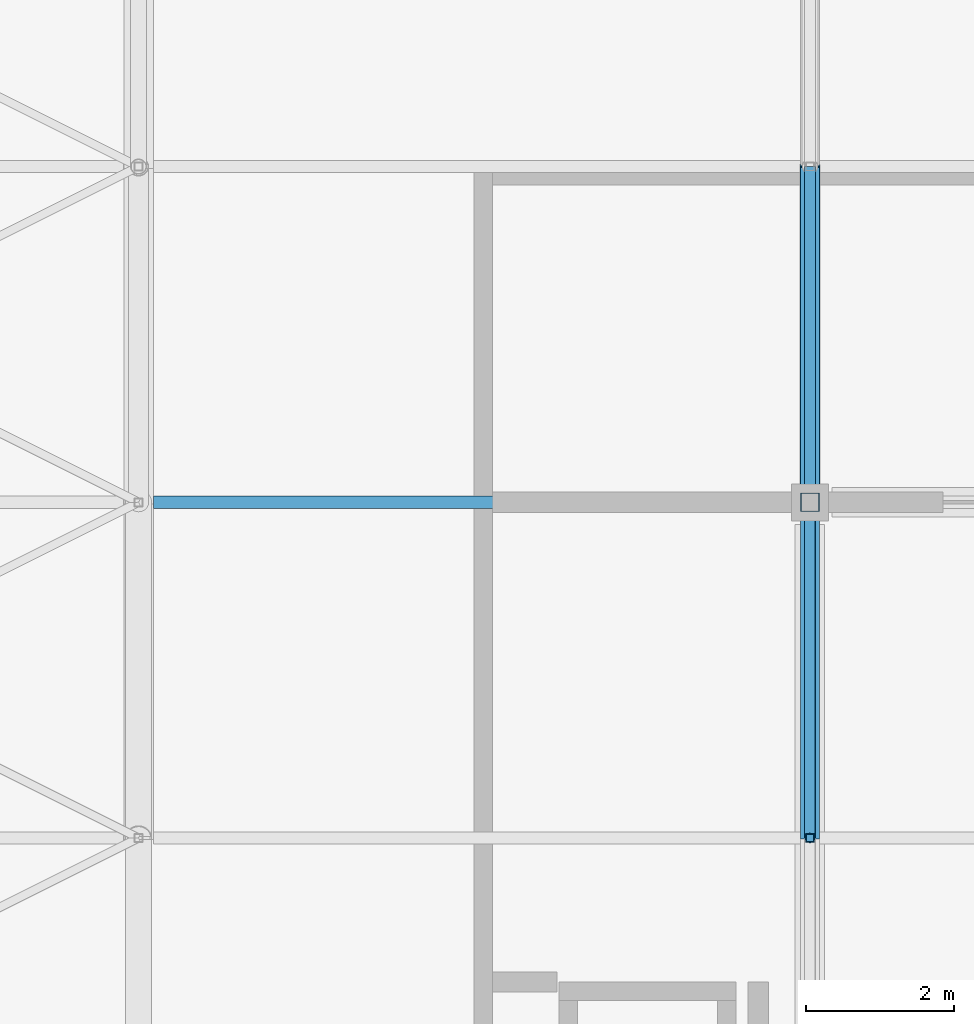
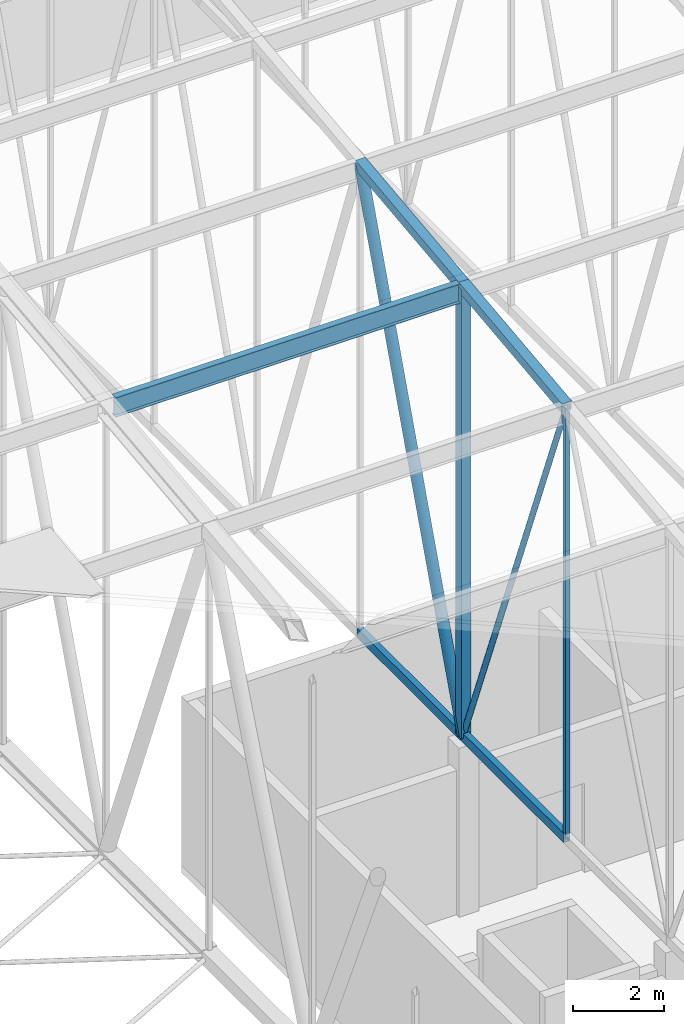
# One storey, part 153 of 500: 9 members.
"""IFC4 building model written with IfcOpenShell, lengths in metres."""

from ifc_helpers import new_model, si_unit, direction, frame, origin, origin_2d, place, context, subcontext, project, spatial, hollow_rectangle, hollow_circle, i_section, extrude, material, material_profile, profile_set, type_object, element, save


model = new_model("IFC4")

# Units and contexts
model_context = context("Model", 3, precision=1e-05, world=origin(), true_north=direction((0.0, 1.0)))
body_context = subcontext(model_context, "Body", "Model", "MODEL_VIEW")
ifc_project = project(units=[si_unit("LENGTHUNIT", "METRE"), si_unit("AREAUNIT", "SQUARE_METRE"), si_unit("VOLUMEUNIT", "CUBIC_METRE"), si_unit("PLANEANGLEUNIT", "RADIAN"), si_unit("MASSUNIT", "GRAM", prefix="KILO")], contexts=[model_context])

# Site, building, storey
site_placement = place(None, origin())
site = spatial("IfcSite", under=ifc_project, at=site_placement, CompositionType="ELEMENT")
building_placement = place(site_placement, origin())
building = spatial("IfcBuilding", under=site, at=building_placement, Name="Shirokan Park Arena", CompositionType="ELEMENT")
storey_placement = place(building_placement, frame((0.0, 0.0, 29.1201171875)))
storey = spatial("IfcBuildingStorey", under=building, at=storey_placement, Name="L06", CompositionType="ELEMENT", Elevation=29.1201171875)

# Members
ifc_material_1 = material(Name="Steel ASTM A500 Grade C", Category="steel")
ifc_material_profile_1 = material_profile(ifc_material_1, hollow_rectangle(XDim=0.152099609375, YDim=0.25390625, WallThickness=0.009521484375, at=origin_2d()), Name="HSS254X152.4X9.5")
ifc_profile_set_1 = profile_set([ifc_material_profile_1], Name="Steel ASTM A500 Grade C")
member_type_1 = type_object("IfcMemberType", Name="Bottom chord HSS254X152.4X9.5", PredefinedType="CHORD", material=ifc_profile_set_1)
member_1_placement = place(storey_placement, frame((109.199951171875, 31.85009765625, 4.677001953125), z_axis=(0.0, 1.0, 0.0), x_axis=(-1.0, 0.0, 0.0)))
element("IfcMember", 1, at=member_1_placement, inside=storey, type_object=member_type_1, Name="Truss T13 bottom chord 10", PredefinedType="CHORD", context=body_context, shape_type="SweptSolid", body=[
    extrude(hollow_rectangle(XDim=0.152099609375, YDim=0.25390625, WallThickness=0.009521484375, at=origin_2d()), origin(), (0.0, 0.0, 1.0), 4.5498046875),
])
member_2_placement = place(storey_placement, frame((109.199951171875, 36.39990234375, 4.677001953125), z_axis=(0.0, 1.0, 0.0), x_axis=(-1.0, 0.0, 0.0)))
element("IfcMember", 2, at=member_2_placement, inside=storey, type_object=member_type_1, Name="Truss T13 bottom chord 11", PredefinedType="CHORD", context=body_context, shape_type="SweptSolid", body=[
    extrude(hollow_rectangle(XDim=0.152099609375, YDim=0.25390625, WallThickness=0.009521484375, at=origin_2d()), origin(), (0.0, 0.0, 1.0), 4.550048828125),
])
ifc_material_2 = material(Name="Steel ASTM A992", Category="steel")
ifc_material_profile_2 = material_profile(ifc_material_2, i_section(OverallWidth=0.166015625, OverallDepth=0.528076171875, WebThickness=0.009765625, FlangeThickness=0.013671875, at=origin_2d()), Name="W530X74")
ifc_profile_set_2 = profile_set([ifc_material_profile_2], Name="Steel ASTM A992")
member_type_2 = type_object("IfcMemberType", Name="Purlin W530X74", PredefinedType="PURLIN", material=ifc_profile_set_2)
member_3_placement = place(storey_placement, frame((100.300537109375, 36.39990234375, 16.64599609375), z_axis=(1.0, 0.0, 0.0), x_axis=(0.0, 1.0, 0.0)))
element("IfcMember", 3, at=member_3_placement, inside=storey, type_object=member_type_2, Name="Purlin 11 bay 12", PredefinedType="PURLIN", context=body_context, shape_type="SweptSolid", body=[
    extrude(i_section(OverallWidth=0.166015625, OverallDepth=0.528076171875, WebThickness=0.009765625, FlangeThickness=0.013671875, at=origin_2d()), origin(), (0.0, 0.0, 1.0), 8.7724609375),
])
ifc_material_profile_3 = material_profile(ifc_material_1, hollow_rectangle(XDim=0.25390625, YDim=0.25390625, WallThickness=0.009521484375, at=origin_2d()), Name="HSS254X254X9.5")
ifc_profile_set_3 = profile_set([ifc_material_profile_3], Name="Steel ASTM A500 Grade C")
member_type_3 = type_object("IfcMemberType", Name="Top chord HSS254X254X9.5", PredefinedType="CHORD", material=ifc_profile_set_3)
member_4_placement = place(storey_placement, frame((109.199951171875, 31.85009765625, 16.262939453125), z_axis=(0.0, 0.993531641592, 0.11355561261), x_axis=(-1.0, 0.0, 0.0)))
element("IfcMember", 4, at=member_4_placement, inside=storey, type_object=member_type_3, Name="Truss T13 top chord 10", PredefinedType="CHORD", context=body_context, shape_type="SweptSolid", body=[
    extrude(hollow_rectangle(XDim=0.25390625, YDim=0.25390625, WallThickness=0.009521484375, at=origin_2d()), origin(), (0.0, 0.0, 1.0), 4.579345703125),
])
member_5_placement = place(storey_placement, frame((109.199951171875, 36.39990234375, 16.782958984375), z_axis=(0.0, 0.993532328996, 0.113549598152), x_axis=(-1.0, 0.0, 0.0)))
element("IfcMember", 5, at=member_5_placement, inside=storey, type_object=member_type_3, Name="Truss T13 top chord 11", PredefinedType="CHORD", context=body_context, shape_type="SweptSolid", body=[
    extrude(hollow_rectangle(XDim=0.25390625, YDim=0.25390625, WallThickness=0.009521484375, at=origin_2d()), origin(), (0.0, 0.0, 1.0), 4.57958984375),
])
ifc_material_profile_4 = material_profile(ifc_material_1, hollow_circle(Radius=0.070556640625, WallThickness=0.006591796875, at=origin_2d()), Name="HSS141.3X6.6")
ifc_profile_set_4 = profile_set([ifc_material_profile_4], Name="Steel ASTM A500 Grade C")
member_type_4 = type_object("IfcMemberType", Name="Truss diagonal HSS141.3X6.6", PredefinedType="BRACE", material=ifc_profile_set_4)
member_6_placement = place(storey_placement, frame((109.199951171875, 31.85009765625, 16.262939453125), z_axis=(0.0, 0.365526146051, -0.930801072493), x_axis=(-1.0, 0.0, 0.0)))
element("IfcMember", 6, at=member_6_placement, inside=storey, type_object=member_type_4, Name="Truss T13 diagonal 10", PredefinedType="BRACE", context=body_context, shape_type="SweptSolid", body=[
    extrude(hollow_circle(Radius=0.070556640625, WallThickness=0.006591796875, at=origin_2d()), origin(), (0.0, 0.0, 1.0), 12.447265625),
])
ifc_material_profile_5 = material_profile(ifc_material_1, hollow_circle(Radius=0.136474609375, WallThickness=0.009521484375, at=origin_2d()), Name="HSS273.1X9.5")
ifc_profile_set_5 = profile_set([ifc_material_profile_5], Name="Steel ASTM A500 Grade C")
member_type_5 = type_object("IfcMemberType", Name="Truss diagonal HSS273.1X9.5", PredefinedType="BRACE", material=ifc_profile_set_5)
member_7_placement = place(storey_placement, frame((109.199951171875, 36.39990234375, 4.677001953125), z_axis=(0.0, 0.339029292845, 0.940775817394), x_axis=(-1.0, 0.0, 0.0)))
element("IfcMember", 7, at=member_7_placement, inside=storey, type_object=member_type_5, Name="Truss T13 diagonal 11", PredefinedType="BRACE", context=body_context, shape_type="SweptSolid", body=[
    extrude(hollow_circle(Radius=0.136474609375, WallThickness=0.009521484375, at=origin_2d()), origin(), (0.0, 0.0, 1.0), 13.4208984375),
])
ifc_material_profile_6 = material_profile(ifc_material_1, hollow_rectangle(XDim=0.114013671875, YDim=0.114013671875, WallThickness=0.00634765625, at=origin_2d()), Name="HSS114.3X114.3X6.4")
ifc_profile_set_6 = profile_set([ifc_material_profile_6], Name="Steel ASTM A500 Grade C")
member_type_6 = type_object("IfcMemberType", Name="Truss post HSS114.3X114.3X6.4", PredefinedType="POST", material=ifc_profile_set_6)
member_8_placement = place(storey_placement, frame((109.199951171875, 31.85009765625, 4.677001953125), z_axis=(0.0, 0.0, 1.0), x_axis=(1.0, 0.0, 0.0)))
element("IfcMember", 8, at=member_8_placement, inside=storey, type_object=member_type_6, Name="Truss T13 post 10", PredefinedType="POST", context=body_context, shape_type="SweptSolid", body=[
    extrude(hollow_rectangle(XDim=0.114013671875, YDim=0.114013671875, WallThickness=0.00634765625, at=origin_2d()), origin(), (0.0, 0.0, 1.0), 11.5859375),
])
ifc_material_profile_7 = material_profile(ifc_material_1, hollow_rectangle(XDim=0.25390625, YDim=0.25390625, WallThickness=0.009521484375, at=origin_2d()), Name="HSS254X254X9.5")
ifc_profile_set_7 = profile_set([ifc_material_profile_7], Name="Steel ASTM A500 Grade C")
member_type_7 = type_object("IfcMemberType", Name="Truss post HSS254X254X9.5", PredefinedType="POST", material=ifc_profile_set_7)
member_9_placement = place(storey_placement, frame((109.199951171875, 36.39990234375, 4.677001953125), z_axis=(0.0, 0.0, 1.0), x_axis=(1.0, 0.0, 0.0)))
element("IfcMember", 9, at=member_9_placement, inside=storey, type_object=member_type_7, Name="Truss T13 post 11", PredefinedType="POST", context=body_context, shape_type="SweptSolid", body=[
    extrude(hollow_rectangle(XDim=0.25390625, YDim=0.25390625, WallThickness=0.009521484375, at=origin_2d()), origin(), (0.0, 0.0, 1.0), 12.10595703125),
])

save(model, "model.ifc")
